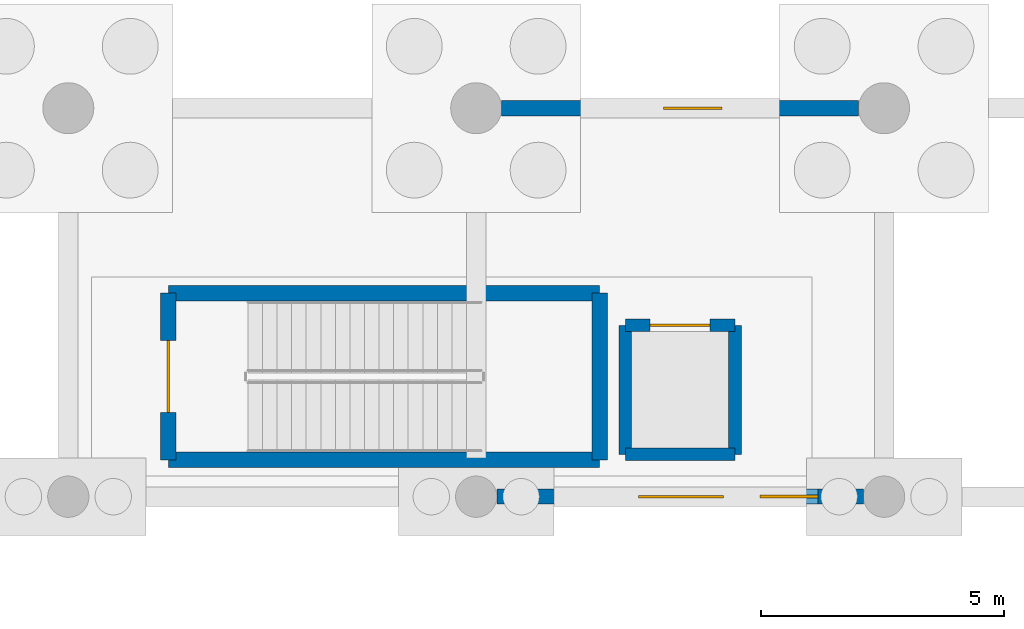
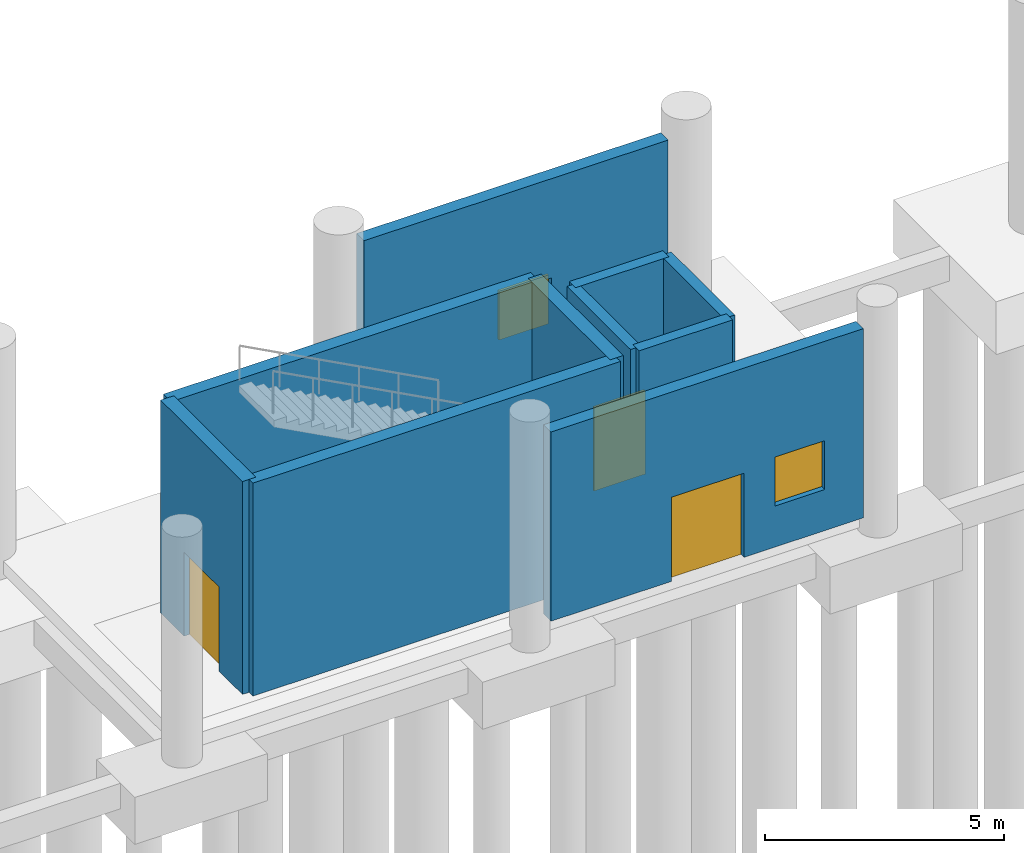
# One storey, part 60 of 83: 10 walls, 3 doors, 2 windows, 5 openings.
"""IFC4 building model written with IfcOpenShell, lengths in metres."""

from ifc_helpers import new_model, si_unit, direction, frame, frame_2d, origin, place, context, subcontext, project, spatial, rectangle, extrude, material, layer, layer_set, type_object, element, fill, save


model = new_model("IFC4")

# Units and contexts
model_context = context("Model", 3, precision=1e-05, world=origin(), true_north=direction((0.0, 1.0)))
body_context = subcontext(model_context, "Body", "Model", "MODEL_VIEW")
ifc_project = project(units=[si_unit("LENGTHUNIT", "METRE"), si_unit("AREAUNIT", "SQUARE_METRE"), si_unit("VOLUMEUNIT", "CUBIC_METRE"), si_unit("PLANEANGLEUNIT", "RADIAN"), si_unit("MASSUNIT", "GRAM", prefix="KILO"), si_unit("THERMODYNAMICTEMPERATUREUNIT", "KELVIN"), si_unit("POWERUNIT", "WATT")], contexts=[model_context])

# Site, building, storey
site_placement = place(None, origin())
site = spatial("IfcSite", under=ifc_project, at=site_placement, CompositionType="ELEMENT")
building_placement = place(site_placement, origin())
building = spatial("IfcBuilding", under=site, at=building_placement, Name="Mavoryth Pier Ferry Terminal", CompositionType="ELEMENT")
storey_placement = place(building_placement, origin())
storey = spatial("IfcBuildingStorey", under=building, at=storey_placement, Name="L00", CompositionType="ELEMENT", Elevation=0.0)

# Walls
ifc_material_1 = material(Name="Concrete C35/45", Category="concrete")
ifc_layer_1 = layer(ifc_material_1, 0.260009765625, Name="Concrete C35/45", Category="concrete")
ifc_layer_set_1 = layer_set([ifc_layer_1], Name="Concrete C35/45 - CoreWall-LiftShaft-RC260")
wall_type_1 = type_object("IfcWallType", Name="CoreWall-LiftShaft-RC260", PredefinedType="SHEAR", material=ifc_layer_set_1)
wall_1_placement = place(storey_placement, frame((137.469970703125, 106.8701171875, 0.0), z_axis=(0.0, 0.0, 1.0), x_axis=(1.0, 0.0, 0.0)))
element("IfcWall", 1, at=wall_1_placement, inside=storey, type_object=wall_type_1, Name="Interior Wall IW-L00-0125", PredefinedType="SHEAR", context=body_context, shape_type="SweptSolid", body=[
    extrude(rectangle(XDim=2.260009765625, YDim=0.260009765625, at=frame_2d((1.1298828125, 0.0))), origin(), (0.0, 0.0, 1.0), 5.43994140625),
])
for number, where, z_axis, x_axis, name in (
    (2, (139.72998046875, 106.8701171875, 0.0), (0.0, 0.0, 1.0), (0.0, 1.0, 0.0), "Interior Wall IW-L00-0126"),
    (3, (137.469970703125, 109.530029296875, 0.0), (0.0, 0.0, 1.0), (0.0, -1.0, 0.0), "Interior Wall IW-L00-0127"),
):
    element("IfcWall", number, at=place(storey_placement, frame(where, z_axis=z_axis, x_axis=x_axis)), inside=storey, type_object=wall_type_1, Name=name, PredefinedType="SHEAR", context=body_context, shape_type="SweptSolid", body=[
        extrude(rectangle(XDim=2.659912109375, YDim=0.260009765625, at=frame_2d((1.330078125, 0.0))), origin(), (0.0, 0.0, 1.0), 5.43994140625),
    ])

# Wall, opening, door
wall_2_placement = place(storey_placement, frame((137.469970703125, 109.530029296875, 0.0), z_axis=(0.0, 0.0, 1.0), x_axis=(1.0, 0.0, 0.0)))
wall_2 = element("IfcWall", 4, at=wall_2_placement, inside=storey, type_object=wall_type_1, Name="Interior Wall IW-L00-0128", PredefinedType="SHEAR", context=body_context, shape_type="SweptSolid", body=[
    extrude(rectangle(XDim=2.260009765625, YDim=0.260009765625, at=frame_2d((1.1298828125, 0.0))), origin(), (0.0, 0.0, 1.0), 5.43994140625),
])
opening_1_placement = place(wall_2_placement, frame((0.510009765625, 0.0, 0.0)))
opening_1 = element("IfcOpeningElement", 5, at=opening_1_placement, cuts=wall_2, Name="Opening LD01", PredefinedType="OPENING", context=body_context, shape_type="SweptSolid", body=[
    extrude(rectangle(XDim=1.239990234375, YDim=2.139892578125, at=frame_2d((0.6201171875, 1.06982421875))), frame((0.0, 0.139892578125, 0.0), z_axis=(0.0, -1.0, 0.0), x_axis=(1.0, 0.0, 0.0)), (0.0, 0.0, 1.0), 0.280029296875),
])
ifc_material_2 = material(Name="Brushed Stainless Steel Lift Landing Door", Category="steel")
door_type_1 = type_object("IfcDoorType", Name="Door-LiftLanding-1240x2140", OperationType="NOTDEFINED", PredefinedType="DOOR", material=ifc_material_2)
door_1_placement = place(opening_1_placement, origin())
door_1 = element("IfcDoor", 6, at=door_1_placement, inside=storey, type_object=door_type_1, Name="Lift LF07 Landing Door L00", OperationType="DOUBLE_DOOR_SLIDING", OverallHeight=2.139892578125, OverallWidth=1.239990234375, PredefinedType="DOOR", context=body_context, shape_type="SweptSolid", body=[
    extrude(rectangle(XDim=1.239990234375, YDim=2.139892578125, at=frame_2d((0.6201171875, 1.06982421875))), frame((0.0, 0.02490234375, 0.0), z_axis=(0.0, -1.0, 0.0), x_axis=(1.0, 0.0, 0.0)), (0.0, 0.0, 1.0), 0.050048828125),
])
fill(opening_1, door_1)

# Walls
ifc_material_3 = material(Name="Concrete C40/50", Category="concrete")
ifc_layer_2 = layer(ifc_material_3, 0.320068359375, Name="Concrete C40/50", Category="concrete")
ifc_layer_set_2 = layer_set([ifc_layer_2], Name="Concrete C40/50 - CoreWall-Shear-RC320")
wall_type_2 = type_object("IfcWallType", Name="CoreWall-Shear-RC320", PredefinedType="SHEAR", material=ifc_layer_set_2)
for number, where, z_axis, x_axis, name in (
    (7, (128.06005859375, 106.760009765625, 0.0), (0.0, 0.0, 1.0), (1.0, 0.0, 0.0), "Interior Wall IW-L00-0117"),
    (8, (128.06005859375, 110.18994140625, 0.0), (0.0, 0.0, 1.0), (1.0, 0.0, 0.0), "Interior Wall IW-L00-0118"),
):
    element("IfcWall", number, at=place(storey_placement, frame(where, z_axis=z_axis, x_axis=x_axis)), inside=storey, type_object=wall_type_2, Name=name, PredefinedType="SHEAR", context=body_context, shape_type="SweptSolid", body=[
        extrude(rectangle(XDim=8.8798828125, YDim=0.320068359375, at=frame_2d((4.43994140625, 0.0))), origin(), (0.0, 0.0, 1.0), 5.43994140625),
    ])

# Wall, opening, door
wall_3_placement = place(storey_placement, frame((128.06005859375, 110.18994140625, 0.0), z_axis=(0.0, 0.0, 1.0), x_axis=(0.0, -1.0, 0.0)))
wall_3 = element("IfcWall", 9, at=wall_3_placement, inside=storey, type_object=wall_type_2, Name="Interior Wall IW-L00-0119", PredefinedType="SHEAR", context=body_context, shape_type="SweptSolid", body=[
    extrude(rectangle(XDim=3.429931640625, YDim=0.320068359375, at=frame_2d((1.71484375, 0.0))), origin(), (0.0, 0.0, 1.0), 5.43994140625),
])
opening_2_placement = place(wall_3_placement, frame((0.97509765625, 0.0, 0.0)))
opening_2 = element("IfcOpeningElement", 10, at=opening_2_placement, cuts=wall_3, Name="Opening ID01-030", PredefinedType="OPENING", context=body_context, shape_type="SweptSolid", body=[
    extrude(rectangle(XDim=1.47998046875, YDim=2.14990234375, at=frame_2d((0.739990234375, 1.074951171875))), frame((0.0, 0.169921875, 0.0), z_axis=(0.0, -1.0, 0.0), x_axis=(1.0, 0.0, 0.0)), (0.0, 0.0, 1.0), 0.340087890625),
])
ifc_material_4 = material(Name="Painted Galvanised Steel Fire Door", Category="steel")
door_type_2 = type_object("IfcDoorType", Name="Door-StairFire-1480x2150", OperationType="NOTDEFINED", PredefinedType="DOOR", material=ifc_material_4)
door_2_placement = place(opening_2_placement, origin())
door_2 = element("IfcDoor", 11, at=door_2_placement, inside=storey, type_object=door_type_2, Name="Core C3B Stair Exit Door L00", OperationType="SINGLE_SWING_RIGHT", OverallHeight=2.14990234375, OverallWidth=1.47998046875, PredefinedType="DOOR", context=body_context, shape_type="SweptSolid", body=[
    extrude(rectangle(XDim=1.47998046875, YDim=2.14990234375, at=frame_2d((0.739990234375, 1.074951171875))), frame((0.0, 0.02490234375, 0.0), z_axis=(0.0, -1.0, 0.0), x_axis=(1.0, 0.0, 0.0)), (0.0, 0.0, 1.0), 0.050048828125),
])
fill(opening_2, door_2)

# Wall
wall_4_placement = place(storey_placement, frame((136.93994140625, 106.760009765625, 0.0), z_axis=(0.0, 0.0, 1.0), x_axis=(0.0, 1.0, 0.0)))
element("IfcWall", 12, at=wall_4_placement, inside=storey, type_object=wall_type_2, Name="Interior Wall IW-L00-0120", PredefinedType="SHEAR", context=body_context, shape_type="SweptSolid", body=[
    extrude(rectangle(XDim=3.429931640625, YDim=0.320068359375, at=frame_2d((1.71484375, 0.0))), origin(), (0.0, 0.0, 1.0), 5.43994140625),
])

# Wall, openings, door, window
ifc_layer_3 = layer(ifc_material_1, 0.31005859375, Name="Concrete C35/45", Category="concrete")
ifc_layer_set_3 = layer_set([ifc_layer_3], Name="Concrete C35/45 - ExtWall-Insul-RC310")
wall_type_3 = type_object("IfcWallType", Name="ExtWall-Insul-RC310", PredefinedType="SOLIDWALL", material=ifc_layer_set_3)
wall_5_placement = place(storey_placement, frame((134.824951171875, 106.0, 0.0), z_axis=(0.0, 0.0, 1.0), x_axis=(1.0, 0.0, 0.0)))
wall_5 = element("IfcWall", 13, at=wall_5_placement, inside=storey, type_object=wall_type_3, Name="Exterior Wall EW-L00-034", PredefinedType="SOLIDWALL", context=body_context, shape_type="SweptSolid", body=[
    extrude(rectangle(XDim=7.550048828125, YDim=0.31005859375, at=frame_2d((3.77490234375, 0.0))), origin(), (0.0, 0.0, 1.0), 4.8349609375),
])
opening_3_placement = place(wall_5_placement, frame((2.9150390625, 0.0, 0.0)))
opening_3 = element("IfcOpeningElement", 14, at=opening_3_placement, cuts=wall_5, Name="Opening ED05-017", PredefinedType="OPENING", context=body_context, shape_type="SweptSolid", body=[
    extrude(rectangle(XDim=1.75, YDim=2.14990234375, at=frame_2d((0.875, 1.074951171875))), frame((0.0, 0.1650390625, 0.0), z_axis=(0.0, -1.0, 0.0), x_axis=(1.0, 0.0, 0.0)), (0.0, 0.0, 1.0), 0.330078125),
])
opening_4_placement = place(wall_5_placement, frame((5.4150390625, 0.0, 1.050048828125)))
opening_4 = element("IfcOpeningElement", 15, at=opening_4_placement, cuts=wall_5, Name="Opening WN14", PredefinedType="OPENING", context=body_context, shape_type="SweptSolid", body=[
    extrude(rectangle(XDim=1.199951171875, YDim=1.25, at=frame_2d((0.60009765625, 0.625))), frame((0.0, 0.1650390625, 0.0), z_axis=(0.0, -1.0, 0.0), x_axis=(1.0, 0.0, 0.0)), (0.0, 0.0, 1.0), 0.330078125),
])
ifc_material_5 = material(Name="Thermally Broken Anodised Aluminium and Laminated Glass", Category="aluminium")
door_type_3 = type_object("IfcDoorType", Name="ExtDoor-ExitDouble-1750x2150", OperationType="NOTDEFINED", PredefinedType="DOOR", material=ifc_material_5)
door_3_placement = place(opening_3_placement, origin())
door_3 = element("IfcDoor", 16, at=door_3_placement, inside=storey, type_object=door_type_3, Name="Exterior Pedestrian Exit Door ED05-017", OperationType="DOUBLE_DOOR_SINGLE_SWING", OverallHeight=2.14990234375, OverallWidth=1.75, PredefinedType="DOOR", context=body_context, shape_type="SweptSolid", body=[
    extrude(rectangle(XDim=1.75, YDim=2.14990234375, at=frame_2d((0.875, 1.074951171875))), frame((0.0, 0.02490234375, 0.0), z_axis=(0.0, -1.0, 0.0), x_axis=(1.0, 0.0, 0.0)), (0.0, 0.0, 1.0), 0.050048828125),
])
fill(opening_3, door_3)
ifc_material_6 = material(Name="Thermally Broken Aluminium and Low-E Double Glazing", Category="aluminium")
window_type = type_object("IfcWindowType", Name="Win-Lodge-1200x1250", PartitioningType="SINGLE_PANEL", PredefinedType="WINDOW", material=ifc_material_6)
window_1_placement = place(opening_4_placement, origin())
window_1 = element("IfcWindow", 17, at=window_1_placement, inside=storey, type_object=window_type, Name="Exterior Window 24", OverallHeight=1.25, OverallWidth=1.199951171875, PartitioningType="SINGLE_PANEL", PredefinedType="WINDOW", context=body_context, shape_type="SweptSolid", body=[
    extrude(rectangle(XDim=1.199951171875, YDim=1.25, at=frame_2d((0.60009765625, 0.625))), frame((0.0, 0.030029296875, 0.0), z_axis=(0.0, -1.0, 0.0), x_axis=(1.0, 0.0, 0.0)), (0.0, 0.0, 1.0), 0.06005859375),
])
fill(opening_4, window_1)

# Wall, opening, window
wall_6_placement = place(storey_placement, frame((142.27490234375, 114.0, 0.0), z_axis=(0.0, 0.0, 1.0), x_axis=(-1.0, 0.0, 0.0)))
wall_6 = element("IfcWall", 18, at=wall_6_placement, inside=storey, type_object=wall_type_3, Name="Exterior Wall EW-L00-035", PredefinedType="SOLIDWALL", context=body_context, shape_type="SweptSolid", body=[
    extrude(rectangle(XDim=7.349853515625, YDim=0.31005859375, at=frame_2d((3.6748046875, 0.0))), origin(), (0.0, 0.0, 1.0), 4.8349609375),
])
opening_5_placement = place(wall_6_placement, frame((2.81494140625, 0.0, 1.050048828125)))
opening_5 = element("IfcOpeningElement", 19, at=opening_5_placement, cuts=wall_6, Name="Opening WN14", PredefinedType="OPENING", context=body_context, shape_type="SweptSolid", body=[
    extrude(rectangle(XDim=1.199951171875, YDim=1.25, at=frame_2d((0.60009765625, 0.625))), frame((0.0, 0.1650390625, 0.0), z_axis=(0.0, -1.0, 0.0), x_axis=(1.0, 0.0, 0.0)), (0.0, 0.0, 1.0), 0.330078125),
])
window_2_placement = place(opening_5_placement, origin())
window_2 = element("IfcWindow", 20, at=window_2_placement, inside=storey, type_object=window_type, Name="Exterior Window 25", OverallHeight=1.25, OverallWidth=1.199951171875, PartitioningType="SINGLE_PANEL", PredefinedType="WINDOW", context=body_context, shape_type="SweptSolid", body=[
    extrude(rectangle(XDim=1.199951171875, YDim=1.25, at=frame_2d((0.60009765625, 0.625))), frame((0.0, 0.030029296875, 0.0), z_axis=(0.0, -1.0, 0.0), x_axis=(1.0, 0.0, 0.0)), (0.0, 0.0, 1.0), 0.06005859375),
])
fill(opening_5, window_2)

save(model, "model.ifc")
